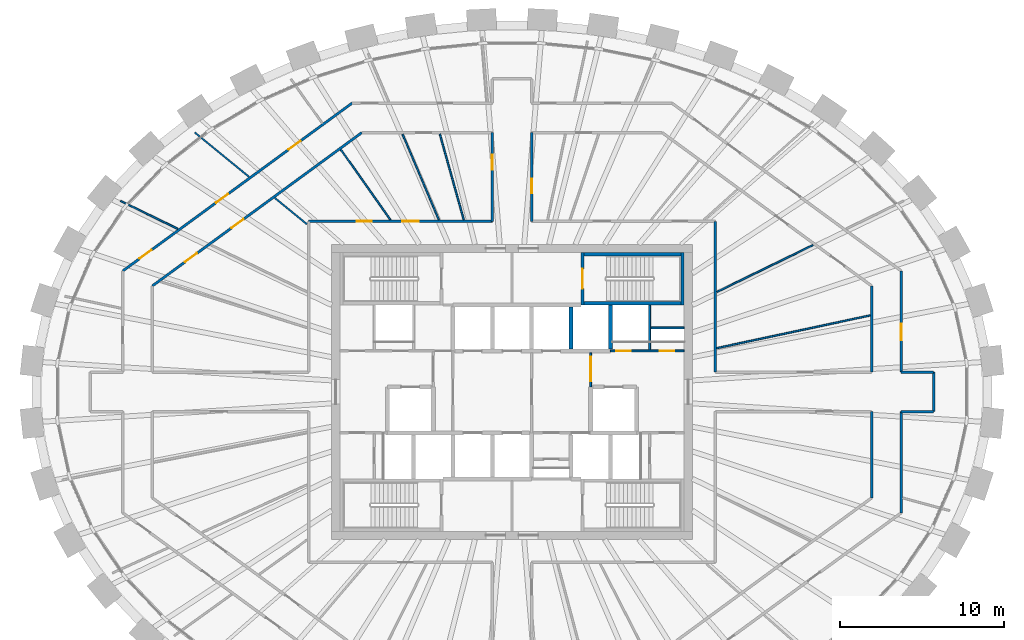
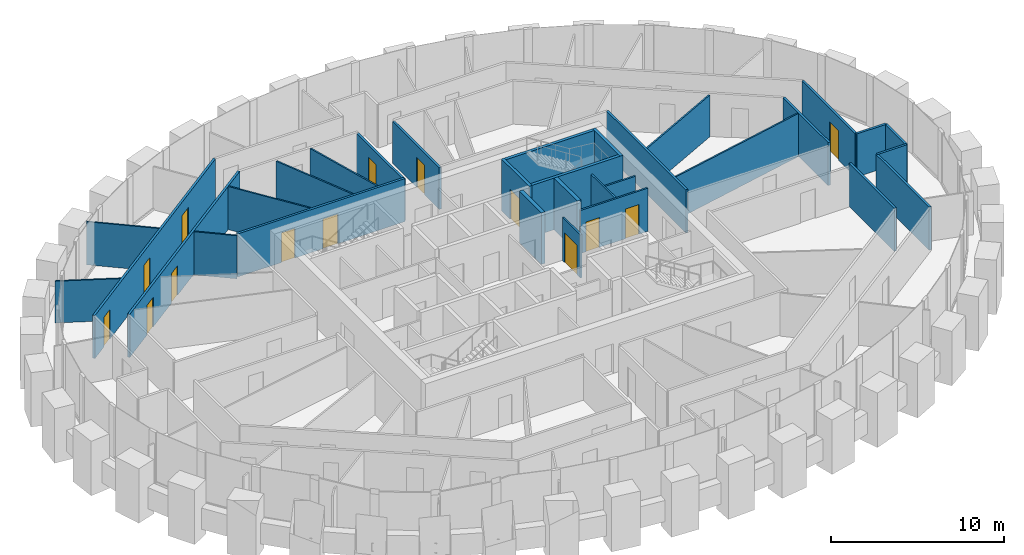
# One storey, part 9 of 11: 31 walls, 14 doors, 14 openings.
"""IFC4 building model written with IfcOpenShell, lengths in metres."""

from ifc_helpers import new_model, si_unit, direction, frame, frame_2d, origin, place, context, subcontext, project, spatial, rectangle, extrude, source, transform, mapped, material, layer, layer_set, type_object, element, fill, save


model = new_model("IFC4")

# Units and contexts
model_context = context("Model", 3, precision=1e-05, world=origin(), true_north=direction((0.0, 1.0)))
body_context = subcontext(model_context, "Body", "Model", "MODEL_VIEW")
ifc_project = project(units=[si_unit("LENGTHUNIT", "METRE"), si_unit("AREAUNIT", "SQUARE_METRE"), si_unit("VOLUMEUNIT", "CUBIC_METRE"), si_unit("PLANEANGLEUNIT", "RADIAN"), si_unit("MASSUNIT", "GRAM", prefix="KILO")], contexts=[model_context])

# Site, building, storey
site_placement = place(None, origin())
site = spatial("IfcSite", under=ifc_project, at=site_placement, CompositionType="ELEMENT")
building_placement = place(site_placement, origin())
building = spatial("IfcBuilding", under=site, at=building_placement, Name="Embergate Tower", CompositionType="ELEMENT")
storey_placement = place(building_placement, frame((0.0, 0.0, 328.60009765625)))
storey = spatial("IfcBuildingStorey", under=building, at=storey_placement, Name="L77", CompositionType="ELEMENT", Elevation=328.60009765625)

# Wall, openings, doors
ifc_material_1 = material(Name="Corridor wall dry-lined 150")
ifc_layer_1 = layer(ifc_material_1, 0.14990234375)
ifc_layer_set_1 = layer_set([ifc_layer_1], Name="Corridor wall dry-lined 150")
wall_type_1 = type_object("IfcWallType", Name="Corridor wall dry-lined 150", PredefinedType="PARTITIONING", material=ifc_layer_set_1)
shared_shape_1 = source(origin(), body_context, "Body", "SweptSolid", [
    extrude(rectangle(XDim=17.3251953125, YDim=0.14990234375, at=frame_2d((8.66259765625, 0.0))), origin(), (0.0, 0.0, 1.0), 3.0498046875),
])
wall_1_placement = place(storey_placement, frame((-9.751953125, 17.611083984375, 0.0), z_axis=(0.0, 0.0, 1.0), x_axis=(-0.806969554432, -0.590593039427, 0.0)))
wall_1 = element("IfcWall", 1, at=wall_1_placement, inside=storey, type_object=wall_type_1, Name="IP-2 wall", PredefinedType="PARTITIONING", context=body_context, shape_type="MappedRepresentation", body=[
    mapped(shared_shape_1, transform((0.0, 0.0, 0.0))),
])
shared_shape_2 = source(origin(), body_context, "Body", "SweptSolid", [
    extrude(rectangle(XDim=0.89990234375, YDim=2.10009765625, at=frame_2d((0.449951171875, 1.050048828125))), frame((0.0, 0.0849609375, 0.0), z_axis=(0.0, -1.0, 0.0), x_axis=(1.0, 0.0, 0.0)), (0.0, 0.0, 1.0), 0.169921875),
])
opening_1_placement = place(wall_1_placement, frame((3.8984375, 0.0, 0.0)))
opening_1 = element("IfcOpeningElement", 2, at=opening_1_placement, cuts=wall_1, Name="Opening IF-1c", PredefinedType="OPENING", context=body_context, shape_type="MappedRepresentation", body=[
    mapped(shared_shape_2, transform((0.0, 0.0, 0.0))),
])
opening_2_placement = place(wall_1_placement, frame((9.39306640625, 0.0, 0.0)))
opening_2 = element("IfcOpeningElement", 3, at=opening_2_placement, cuts=wall_1, Name="Opening IF-1c", PredefinedType="OPENING", context=body_context, shape_type="MappedRepresentation", body=[
    mapped(shared_shape_2, transform((0.0, 0.0, 0.0))),
])
opening_3_placement = place(wall_1_placement, frame((15.1572265625, 0.0, 0.0)))
opening_3 = element("IfcOpeningElement", 4, at=opening_3_placement, cuts=wall_1, Name="Opening IF-1c", PredefinedType="OPENING", context=body_context, shape_type="MappedRepresentation", body=[
    mapped(shared_shape_2, transform((0.0, 0.0, 0.0))),
])
ifc_material_2 = material(Name="Escape fire door 900")
door_type_1 = type_object("IfcDoorType", Name="Escape fire door 900", OperationType="SINGLE_SWING_LEFT", PredefinedType="DOOR", material=ifc_material_2)
shared_shape_3 = source(origin(), body_context, "Body", "SweptSolid", [
    extrude(rectangle(XDim=0.89990234375, YDim=2.10009765625, at=frame_2d((0.449951171875, 1.050048828125))), frame((0.0, 0.02490234375, 0.0), z_axis=(0.0, -1.0, 0.0), x_axis=(1.0, 0.0, 0.0)), (0.0, 0.0, 1.0), 0.050048828125),
])
door_1_placement = place(opening_1_placement, origin())
door_1 = element("IfcDoor", 5, at=door_1_placement, inside=storey, type_object=door_type_1, Name="IF-1 door", OperationType="SINGLE_SWING_LEFT", OverallHeight=2.10009765625, OverallWidth=0.89990234375, PredefinedType="DOOR", context=body_context, shape_type="MappedRepresentation", body=[
    mapped(shared_shape_3, transform((0.0, 0.0, 0.0))),
])
fill(opening_1, door_1)
door_2_placement = place(opening_2_placement, origin())
door_2 = element("IfcDoor", 6, at=door_2_placement, inside=storey, type_object=door_type_1, Name="IF-1 door", OperationType="SINGLE_SWING_LEFT", OverallHeight=2.10009765625, OverallWidth=0.89990234375, PredefinedType="DOOR", context=body_context, shape_type="MappedRepresentation", body=[
    mapped(shared_shape_3, transform((0.0, 0.0, 0.0))),
])
fill(opening_2, door_2)
door_3_placement = place(opening_3_placement, origin())
door_3 = element("IfcDoor", 7, at=door_3_placement, inside=storey, type_object=door_type_1, Name="IF-1 door", OperationType="SINGLE_SWING_RIGHT", OverallHeight=2.10009765625, OverallWidth=0.89990234375, PredefinedType="DOOR", context=body_context, shape_type="MappedRepresentation", body=[
    mapped(shared_shape_3, transform((0.0, 0.0, 0.0))),
])
fill(opening_3, door_3)

# Wall
shared_shape_4 = source(origin(), body_context, "Body", "SweptSolid", [
    extrude(rectangle(XDim=6.178955078125, YDim=0.14990234375, at=frame_2d((3.08935546875, 0.0))), origin(), (0.0, 0.0, 1.0), 3.0498046875),
])
wall_2_placement = place(storey_placement, frame((23.73291015625, -7.37890625, 0.0), z_axis=(0.0, 0.0, 1.0), x_axis=(0.0, 1.0, 0.0)))
element("IfcWall", 8, at=wall_2_placement, inside=storey, type_object=wall_type_1, Name="IP-2 wall", PredefinedType="PARTITIONING", context=body_context, shape_type="MappedRepresentation", body=[
    mapped(shared_shape_4, transform((0.0, 0.0, 0.0))),
])

# Wall, opening, door
wall_3_placement = place(storey_placement, frame((23.73291015625, 7.37890625, 0.0), z_axis=(0.0, 0.0, 1.0), x_axis=(0.0, -1.0, 0.0)))
wall_3 = element("IfcWall", 9, at=wall_3_placement, inside=storey, type_object=wall_type_1, Name="IP-2 wall", PredefinedType="PARTITIONING", context=body_context, shape_type="MappedRepresentation", body=[
    mapped(shared_shape_4, transform((0.0, 0.0, 0.0))),
])
shared_shape_5 = source(origin(), body_context, "Body", "SweptSolid", [
    extrude(rectangle(XDim=1.0, YDim=2.10009765625, at=frame_2d((0.5, 1.050048828125))), frame((0.0, 0.0849609375, 0.0), z_axis=(0.0, -1.0, 0.0), x_axis=(1.0, 0.0, 0.0)), (0.0, 0.0, 1.0), 0.169921875),
])
opening_4_placement = place(wall_3_placement, frame((3.230712890625, 0.0, 0.0)))
opening_4 = element("IfcOpeningElement", 10, at=opening_4_placement, cuts=wall_3, Name="Opening ID-2", PredefinedType="OPENING", context=body_context, shape_type="MappedRepresentation", body=[
    mapped(shared_shape_5, transform((0.0, 0.0, 0.0))),
])
ifc_material_3 = material(Name="Interior door 1000")
door_type_2 = type_object("IfcDoorType", Name="Interior door 1000", OperationType="SINGLE_SWING_LEFT", PredefinedType="DOOR", material=ifc_material_3)
shared_shape_6 = source(origin(), body_context, "Body", "SweptSolid", [
    extrude(rectangle(XDim=1.0, YDim=2.10009765625, at=frame_2d((0.5, 1.050048828125))), frame((0.0, 0.02490234375, 0.0), z_axis=(0.0, -1.0, 0.0), x_axis=(1.0, 0.0, 0.0)), (0.0, 0.0, 1.0), 0.050048828125),
])
door_4_placement = place(opening_4_placement, origin())
door_4 = element("IfcDoor", 11, at=door_4_placement, inside=storey, type_object=door_type_2, Name="ID-2 door", OperationType="SINGLE_SWING_LEFT", OverallHeight=2.10009765625, OverallWidth=1.0, PredefinedType="DOOR", context=body_context, shape_type="MappedRepresentation", body=[
    mapped(shared_shape_6, transform((0.0, 0.0, 0.0))),
])
fill(opening_4, door_4)

# Walls
shared_shape_7 = source(origin(), body_context, "Body", "SweptSolid", [
    extrude(rectangle(XDim=5.26513671875, YDim=0.14990234375, at=frame_2d((2.632568359375, 0.0))), origin(), (0.0, 0.0, 1.0), 3.0498046875),
])
for number, where, z_axis, x_axis, name in (
    (12, (21.93310546875, -6.465087890625, 0.0), (0.0, 0.0, 1.0), (0.0, 1.0, 0.0), "IP-2 wall"),
    (13, (21.93310546875, 1.199951171875, 0.0), (0.0, 0.0, 1.0), (0.0, 1.0, 0.0), "IP-2 wall"),
):
    element("IfcWall", number, at=place(storey_placement, frame(where, z_axis=z_axis, x_axis=x_axis)), inside=storey, type_object=wall_type_1, Name=name, PredefinedType="PARTITIONING", context=body_context, shape_type="MappedRepresentation", body=[
        mapped(shared_shape_7, transform((0.0, 0.0, 0.0))),
    ])

# Wall, openings, doors
shared_shape_8 = source(origin(), body_context, "Body", "SweptSolid", [
    extrude(rectangle(XDim=15.82470703125, YDim=0.14990234375, at=frame_2d((7.912353515625, 0.0))), origin(), (0.0, 0.0, 1.0), 3.0498046875),
])
wall_4_placement = place(storey_placement, frame((-21.93310546875, 6.465087890625, 0.0), z_axis=(0.0, 0.0, 1.0), x_axis=(0.80696917181, 0.590593562231, 0.0)))
wall_4 = element("IfcWall", 14, at=wall_4_placement, inside=storey, type_object=wall_type_1, Name="IP-2 wall", PredefinedType="PARTITIONING", context=body_context, shape_type="MappedRepresentation", body=[
    mapped(shared_shape_8, transform((0.0, 0.0, 0.0))),
])
opening_5_placement = place(wall_4_placement, frame((5.983642578125, 0.0, 0.0)))
opening_5 = element("IfcOpeningElement", 15, at=opening_5_placement, cuts=wall_4, Name="Opening IF-1c", PredefinedType="OPENING", context=body_context, shape_type="MappedRepresentation", body=[
    mapped(shared_shape_2, transform((0.0, 0.0, 0.0))),
])
opening_6_placement = place(wall_4_placement, frame((2.4794921875, 0.0, 0.0)))
opening_6 = element("IfcOpeningElement", 16, at=opening_6_placement, cuts=wall_4, Name="Opening IF-1c", PredefinedType="OPENING", context=body_context, shape_type="MappedRepresentation", body=[
    mapped(shared_shape_2, transform((0.0, 0.0, 0.0))),
])
door_5_placement = place(opening_5_placement, origin())
door_5 = element("IfcDoor", 17, at=door_5_placement, inside=storey, type_object=door_type_1, Name="IF-1 door", OperationType="SINGLE_SWING_RIGHT", OverallHeight=2.10009765625, OverallWidth=0.89990234375, PredefinedType="DOOR", context=body_context, shape_type="MappedRepresentation", body=[
    mapped(shared_shape_3, transform((0.0, 0.0, 0.0))),
])
fill(opening_5, door_5)
door_6_placement = place(opening_6_placement, origin())
door_6 = element("IfcDoor", 18, at=door_6_placement, inside=storey, type_object=door_type_1, Name="IF-1 door", OperationType="SINGLE_SWING_LEFT", OverallHeight=2.10009765625, OverallWidth=0.89990234375, PredefinedType="DOOR", context=body_context, shape_type="MappedRepresentation", body=[
    mapped(shared_shape_3, transform((0.0, 0.0, 0.0))),
])
fill(opening_6, door_6)

# Wall
shared_shape_9 = source(origin(), body_context, "Body", "SweptSolid", [
    extrude(rectangle(XDim=9.199951171875, YDim=0.14990234375, at=frame_2d((4.60009765625, 0.0))), origin(), (0.0, 0.0, 1.0), 3.0498046875),
])
wall_5_placement = place(storey_placement, frame((12.39990234375, 10.39990234375, 0.0), z_axis=(0.0, 0.0, 1.0), x_axis=(0.0, -1.0, 0.0)))
element("IfcWall", 19, at=wall_5_placement, inside=storey, type_object=wall_type_1, Name="IP-2 wall", PredefinedType="PARTITIONING", context=body_context, shape_type="MappedRepresentation", body=[
    mapped(shared_shape_9, transform((0.0, 0.0, 0.0))),
])

# Wall, openings, doors
ifc_material_4 = material(Name="Corridor wall dry-lined 150 wet")
ifc_layer_2 = layer(ifc_material_4, 0.14990234375)
ifc_layer_set_2 = layer_set([ifc_layer_2], Name="Corridor wall dry-lined 150 wet")
wall_type_2 = type_object("IfcWallType", Name="Corridor wall dry-lined 150 wet", PredefinedType="PLUMBINGWALL", material=ifc_layer_set_2)
shared_shape_10 = source(origin(), body_context, "Body", "SweptSolid", [
    extrude(rectangle(XDim=11.199951171875, YDim=0.14990234375, at=frame_2d((5.60009765625, 0.0))), origin(), (0.0, 0.0, 1.0), 3.0498046875),
])
wall_6_placement = place(storey_placement, frame((-12.39990234375, 10.39990234375, 0.0), z_axis=(0.0, 0.0, 1.0), x_axis=(1.0, 0.0, 0.0)))
wall_6 = element("IfcWall", 20, at=wall_6_placement, inside=storey, type_object=wall_type_2, Name="IP-2 wall", PredefinedType="PLUMBINGWALL", context=body_context, shape_type="MappedRepresentation", body=[
    mapped(shared_shape_10, transform((0.0, 0.0, 0.0))),
])
opening_7_placement = place(wall_6_placement, frame((5.7099609375, 0.0, 0.0)))
opening_7 = element("IfcOpeningElement", 21, at=opening_7_placement, cuts=wall_6, Name="Opening ID-2", PredefinedType="OPENING", context=body_context, shape_type="MappedRepresentation", body=[
    mapped(shared_shape_5, transform((0.0, 0.0, 0.0))),
])
opening_8_placement = place(wall_6_placement, frame((2.931884765625, 0.0, 0.0)))
opening_8 = element("IfcOpeningElement", 22, at=opening_8_placement, cuts=wall_6, Name="Opening IF-1c", PredefinedType="OPENING", context=body_context, shape_type="MappedRepresentation", body=[
    mapped(shared_shape_2, transform((0.0, 0.0, 0.0))),
])
door_7_placement = place(opening_8_placement, origin())
door_7 = element("IfcDoor", 23, at=door_7_placement, inside=storey, type_object=door_type_1, Name="IF-1 door", OperationType="SINGLE_SWING_LEFT", OverallHeight=2.10009765625, OverallWidth=0.89990234375, PredefinedType="DOOR", context=body_context, shape_type="MappedRepresentation", body=[
    mapped(shared_shape_3, transform((0.0, 0.0, 0.0))),
])
fill(opening_8, door_7)
door_8_placement = place(opening_7_placement, origin())
door_8 = element("IfcDoor", 24, at=door_8_placement, inside=storey, type_object=door_type_2, Name="ID-2 door", OperationType="SINGLE_SWING_LEFT", OverallHeight=2.10009765625, OverallWidth=1.0, PredefinedType="DOOR", context=body_context, shape_type="MappedRepresentation", body=[
    mapped(shared_shape_6, transform((0.0, 0.0, 0.0))),
])
fill(opening_7, door_8)

# Wall
shared_shape_11 = source(origin(), body_context, "Body", "SweptSolid", [
    extrude(rectangle(XDim=2.39990234375, YDim=0.14990234375, at=frame_2d((1.199951171875, 0.0))), origin(), (0.0, 0.0, 1.0), 3.0498046875),
])
wall_7_placement = place(storey_placement, frame((25.714111328125, 1.199951171875, 0.0), z_axis=(0.0, 0.0, 1.0), x_axis=(0.0, -1.0, 0.0)))
element("IfcWall", 25, at=wall_7_placement, inside=storey, type_object=wall_type_1, Name="IP-2 wall", PredefinedType="PARTITIONING", context=body_context, shape_type="MappedRepresentation", body=[
    mapped(shared_shape_11, transform((0.0, 0.0, 0.0))),
])

# Wall, opening, door
shared_shape_12 = source(origin(), body_context, "Body", "SweptSolid", [
    extrude(rectangle(XDim=5.4111328125, YDim=0.14990234375, at=frame_2d((2.70556640625, 0.0))), origin(), (0.0, 0.0, 1.0), 2.949951171875),
])
wall_8_placement = place(storey_placement, frame((1.199951171875, 15.81103515625, 0.0), z_axis=(0.0, 0.0, 1.0), x_axis=(0.0, -1.0, 0.0)))
wall_8 = element("IfcWall", 26, at=wall_8_placement, inside=storey, type_object=wall_type_2, Name="IP-2 wall", PredefinedType="PLUMBINGWALL", context=body_context, shape_type="MappedRepresentation", body=[
    mapped(shared_shape_12, transform((0.0, 0.0, 0.0))),
])
opening_9_placement = place(wall_8_placement, frame((2.802978515625, 0.0, 0.0)))
opening_9 = element("IfcOpeningElement", 27, at=opening_9_placement, cuts=wall_8, Name="Opening IF-1c", PredefinedType="OPENING", context=body_context, shape_type="MappedRepresentation", body=[
    mapped(shared_shape_2, transform((0.0, 0.0, 0.0))),
])
door_9_placement = place(opening_9_placement, origin())
door_9 = element("IfcDoor", 28, at=door_9_placement, inside=storey, type_object=door_type_1, Name="IF-1 door", OperationType="SINGLE_SWING_RIGHT", OverallHeight=2.10009765625, OverallWidth=0.89990234375, PredefinedType="DOOR", context=body_context, shape_type="MappedRepresentation", body=[
    mapped(shared_shape_3, transform((0.0, 0.0, 0.0))),
])
fill(opening_9, door_9)

wall_9_placement = place(storey_placement, frame((-1.199951171875, 10.39990234375, 0.0), z_axis=(0.0, 0.0, 1.0), x_axis=(0.0, 1.0, 0.0)))
wall_9 = element("IfcWall", 29, at=wall_9_placement, inside=storey, type_object=wall_type_2, Name="IP-2 wall", PredefinedType="PLUMBINGWALL", context=body_context, shape_type="MappedRepresentation", body=[
    mapped(shared_shape_12, transform((0.0, 0.0, 0.0))),
])
opening_10_placement = place(wall_9_placement, frame((3.155029296875, 0.0, 0.0)))
opening_10 = element("IfcOpeningElement", 30, at=opening_10_placement, cuts=wall_9, Name="Opening IF-1c", PredefinedType="OPENING", context=body_context, shape_type="MappedRepresentation", body=[
    mapped(shared_shape_2, transform((0.0, 0.0, 0.0))),
])
door_10_placement = place(opening_10_placement, origin())
door_10 = element("IfcDoor", 31, at=door_10_placement, inside=storey, type_object=door_type_1, Name="IF-1 door", OperationType="SINGLE_SWING_RIGHT", OverallHeight=2.10009765625, OverallWidth=0.89990234375, PredefinedType="DOOR", context=body_context, shape_type="MappedRepresentation", body=[
    mapped(shared_shape_3, transform((0.0, 0.0, 0.0))),
])
fill(opening_10, door_10)

# Walls
shared_shape_13 = source(origin(), body_context, "Body", "SweptSolid", [
    extrude(rectangle(XDim=1.981201171875, YDim=0.14990234375, at=frame_2d((0.99072265625, 0.0))), origin(), (0.0, 0.0, 1.0), 3.0498046875),
])
for number, where, z_axis, x_axis, name in (
    (32, (23.73291015625, 1.199951171875, 0.0), (0.0, 0.0, 1.0), (1.0, 0.0, 0.0), "IP-2 wall"),
    (33, (25.714111328125, -1.199951171875, 0.0), (0.0, 0.0, 1.0), (-1.0, 0.0, 0.0), "IP-2 wall"),
):
    element("IfcWall", number, at=place(storey_placement, frame(where, z_axis=z_axis, x_axis=x_axis)), inside=storey, type_object=wall_type_1, Name=name, PredefinedType="PARTITIONING", context=body_context, shape_type="MappedRepresentation", body=[
        mapped(shared_shape_13, transform((0.0, 0.0, 0.0))),
    ])
ifc_material_5 = material(Name="Partition dry-lined 100")
ifc_layer_3 = layer(ifc_material_5, 0.10009765625)
ifc_layer_set_3 = layer_set([ifc_layer_3], Name="Partition dry-lined 100")
wall_type_3 = type_object("IfcWallType", Name="Partition dry-lined 100", PredefinedType="PARTITIONING", material=ifc_layer_set_3)
shared_shape_14 = source(origin(), body_context, "Body", "SweptSolid", [
    extrude(rectangle(XDim=3.877685546875, YDim=0.10009765625, at=frame_2d((1.93896484375, 0.0))), origin(), (0.0, 0.0, 1.0), 2.949951171875),
])
wall_10_placement = place(storey_placement, frame((-20.389892578125, 9.947021484375, 0.0), z_axis=(0.0, 0.0, 1.0), x_axis=(-0.898778732273, 0.438402543805, 0.0)))
element("IfcWall", 34, at=wall_10_placement, inside=storey, type_object=wall_type_3, Name="IP-1 wall", PredefinedType="PARTITIONING", context=body_context, shape_type="MappedRepresentation", body=[
    mapped(shared_shape_14, transform((0.0, 0.0, 0.0))),
])
shared_shape_15 = source(origin(), body_context, "Body", "SweptSolid", [
    extrude(rectangle(XDim=9.572998046875, YDim=0.10009765625, at=frame_2d((4.78662109375, 0.0))), origin(), (0.0, 0.0, 1.0), 3.0498046875),
])
wall_11_placement = place(storey_placement, frame((12.485107421875, 2.6669921875, 0.0), z_axis=(0.0, 0.0, 1.0), x_axis=(0.977932848494, 0.208919467346, 0.0)))
element("IfcWall", 35, at=wall_11_placement, inside=storey, type_object=wall_type_3, Name="IP-1 wall", PredefinedType="PARTITIONING", context=body_context, shape_type="MappedRepresentation", body=[
    mapped(shared_shape_15, transform((0.0, 0.0, 0.0))),
])
shared_shape_16 = source(origin(), body_context, "Body", "SweptSolid", [
    extrude(rectangle(XDim=6.525634765625, YDim=0.10009765625, at=frame_2d((3.2626953125, 0.0))), origin(), (0.0, 0.0, 1.0), 2.949951171875),
])
wall_12_placement = place(storey_placement, frame((12.4970703125, 6.095947265625, 0.0), z_axis=(0.0, 0.0, 1.0), x_axis=(0.898761613835, 0.438437636953, 0.0)))
element("IfcWall", 36, at=wall_12_placement, inside=storey, type_object=wall_type_3, Name="IP-1 wall", PredefinedType="PARTITIONING", context=body_context, shape_type="MappedRepresentation", body=[
    mapped(shared_shape_16, transform((0.0, 0.0, 0.0))),
])
ifc_material_6 = material(Name="Partition dry-lined 100 wet")
ifc_layer_4 = layer(ifc_material_6, 0.10009765625)
ifc_layer_set_4 = layer_set([ifc_layer_4], Name="Partition dry-lined 100 wet")
wall_type_4 = type_object("IfcWallType", Name="Partition dry-lined 100 wet", PredefinedType="PLUMBINGWALL", material=ifc_layer_set_4)
shared_shape_17 = source(origin(), body_context, "Body", "SweptSolid", [
    extrude(rectangle(XDim=5.43505859375, YDim=0.10009765625, at=frame_2d((2.717529296875, 0.0))), origin(), (0.0, 0.0, 1.0), 3.0498046875),
])
wall_13_placement = place(storey_placement, frame((-2.93701171875, 10.489013671875, 0.0), z_axis=(0.0, 0.0, 1.0), x_axis=(-0.269561612623, 0.962983144712, 0.0)))
element("IfcWall", 37, at=wall_13_placement, inside=storey, type_object=wall_type_4, Name="IP-1 wall", PredefinedType="PLUMBINGWALL", context=body_context, shape_type="MappedRepresentation", body=[
    mapped(shared_shape_17, transform((0.0, 0.0, 0.0))),
])
shared_shape_18 = source(origin(), body_context, "Body", "SweptSolid", [
    extrude(rectangle(XDim=5.673828125, YDim=0.10009765625, at=frame_2d((2.8369140625, 0.0))), origin(), (0.0, 0.0, 1.0), 2.949951171875),
])
wall_14_placement = place(storey_placement, frame((-6.676025390625, 15.717041015625, 0.0), z_axis=(0.0, 0.0, 1.0), x_axis=(0.391092348704, -0.92035144091, 0.0)))
element("IfcWall", 38, at=wall_14_placement, inside=storey, type_object=wall_type_4, Name="IP-1 wall", PredefinedType="PLUMBINGWALL", context=body_context, shape_type="MappedRepresentation", body=[
    mapped(shared_shape_18, transform((0.0, 0.0, 0.0))),
])
shared_shape_19 = source(origin(), body_context, "Body", "SweptSolid", [
    extrude(rectangle(XDim=4.273193359375, YDim=0.10009765625, at=frame_2d((2.13671875, 0.0))), origin(), (0.0, 0.0, 1.0), 3.0498046875),
])
wall_15_placement = place(storey_placement, frame((-16.0400390625, 13.117919921875, 0.0), z_axis=(0.0, 0.0, 1.0), x_axis=(-0.774112556764, 0.633047983537, 0.0)))
element("IfcWall", 39, at=wall_15_placement, inside=storey, type_object=wall_type_3, Name="IP-1 wall", PredefinedType="PARTITIONING", context=body_context, shape_type="MappedRepresentation", body=[
    mapped(shared_shape_19, transform((0.0, 0.0, 0.0))),
])
shared_shape_20 = source(origin(), body_context, "Body", "SweptSolid", [
    extrude(rectangle(XDim=5.23779296875, YDim=0.10009765625, at=frame_2d((2.618896484375, 0.0))), origin(), (0.0, 0.0, 1.0), 3.0498046875),
])
wall_16_placement = place(storey_placement, frame((-7.419921875, 10.50390625, 0.0), z_axis=(0.0, 0.0, 1.0), x_axis=(-0.576957667199, 0.816774050923, 0.0)))
element("IfcWall", 40, at=wall_16_placement, inside=storey, type_object=wall_type_3, Name="IP-1 wall", PredefinedType="PARTITIONING", context=body_context, shape_type="MappedRepresentation", body=[
    mapped(shared_shape_20, transform((0.0, 0.0, 0.0))),
])
shared_shape_21 = source(origin(), body_context, "Body", "SweptSolid", [
    extrude(rectangle(XDim=2.523193359375, YDim=0.10009765625, at=frame_2d((1.26171875, 0.0))), origin(), (0.0, 0.0, 1.0), 3.0498046875),
])
wall_17_placement = place(storey_placement, frame((-12.507080078125, 10.22802734375, 0.0), z_axis=(0.0, 0.0, 1.0), x_axis=(-0.773940055522, 0.633258865282, 0.0)))
element("IfcWall", 41, at=wall_17_placement, inside=storey, type_object=wall_type_3, Name="IP-1 wall", PredefinedType="PARTITIONING", context=body_context, shape_type="MappedRepresentation", body=[
    mapped(shared_shape_21, transform((0.0, 0.0, 0.0))),
])
ifc_material_7 = material(Name="Concrete C50", Category="concrete")
ifc_layer_5 = layer(ifc_material_7, 0.199951171875)
ifc_layer_set_5 = layer_set([ifc_layer_5], Name="Concrete C50")
wall_type_5 = type_object("IfcWallType", Name="Stair enclosure wall reinforced concrete 250", PredefinedType="SHEAR", material=ifc_layer_set_5)
shared_shape_22 = source(origin(), body_context, "Body", "SweptSolid", [
    extrude(rectangle(XDim=6.300048828125, YDim=0.199951171875, at=frame_2d((3.14990234375, 0.0))), origin(), (0.0, 0.0, 1.0), 3.64990234375),
])
wall_18_placement = place(storey_placement, frame((10.5, 5.39990234375, 0.0), z_axis=(0.0, 0.0, 1.0), x_axis=(-1.0, 0.0, 0.0)))
element("IfcWall", 42, at=wall_18_placement, inside=storey, type_object=wall_type_5, Name="SE-1 wall", PredefinedType="SHEAR", context=body_context, shape_type="MappedRepresentation", body=[
    mapped(shared_shape_22, transform((0.0, 0.0, 0.0))),
])
ifc_layer_6 = layer(ifc_material_7, 0.25)
ifc_layer_set_6 = layer_set([ifc_layer_6], Name="Concrete C50")
wall_type_6 = type_object("IfcWallType", Name="Hoistway wall reinforced concrete 250", PredefinedType="SHEAR", material=ifc_layer_set_6)
shared_shape_23 = source(origin(), body_context, "Body", "SweptSolid", [
    extrude(rectangle(XDim=2.550048828125, YDim=0.25, at=frame_2d((1.27490234375, 0.0))), origin(), (0.0, 0.0, 1.0), 3.64990234375),
])
wall_19_placement = place(storey_placement, frame((3.60009765625, 2.625, 0.0), z_axis=(0.0, 0.0, 1.0), x_axis=(0.0, 1.0, 0.0)))
element("IfcWall", 43, at=wall_19_placement, inside=storey, type_object=wall_type_6, Name="HW-1 wall", PredefinedType="SHEAR", context=body_context, shape_type="MappedRepresentation", body=[
    mapped(shared_shape_23, transform((0.0, 0.0, 0.0))),
])
shared_shape_24 = source(origin(), body_context, "Body", "SweptSolid", [
    extrude(rectangle(XDim=2.675048828125, YDim=0.25, at=frame_2d((1.33740234375, 0.0))), origin(), (0.0, 0.0, 1.0), 3.64990234375),
])
wall_20_placement = place(storey_placement, frame((6.0, 2.625, 0.0), z_axis=(0.0, 0.0, 1.0), x_axis=(0.0, 1.0, 0.0)))
element("IfcWall", 44, at=wall_20_placement, inside=storey, type_object=wall_type_6, Name="HW-1 wall", PredefinedType="SHEAR", context=body_context, shape_type="MappedRepresentation", body=[
    mapped(shared_shape_24, transform((0.0, 0.0, 0.0))),
])

# Wall, openings, doors
ifc_material_8 = material(Name="Core partition blockwork 120")
ifc_layer_7 = layer(ifc_material_8, 0.1201171875)
ifc_layer_set_7 = layer_set([ifc_layer_7], Name="Core partition blockwork 120")
wall_type_7 = type_object("IfcWallType", Name="Core partition blockwork 120", PredefinedType="PARTITIONING", material=ifc_layer_set_7)
shared_shape_25 = source(origin(), body_context, "Body", "SweptSolid", [
    extrude(rectangle(XDim=4.5, YDim=0.1201171875, at=frame_2d((2.25, 0.0))), origin(), (0.0, 0.0, 1.0), 3.0498046875),
])
wall_21_placement = place(storey_placement, frame((6.0, 2.5, 0.0), z_axis=(0.0, 0.0, 1.0), x_axis=(1.0, 0.0, 0.0)))
wall_21 = element("IfcWall", 45, at=wall_21_placement, inside=storey, type_object=wall_type_7, Name="IP-3 wall", PredefinedType="PARTITIONING", context=body_context, shape_type="MappedRepresentation", body=[
    mapped(shared_shape_25, transform((0.0, 0.0, 0.0))),
])
shared_shape_26 = source(origin(), body_context, "Body", "SweptSolid", [
    extrude(rectangle(XDim=0.89990234375, YDim=2.10009765625, at=frame_2d((0.449951171875, 1.050048828125))), frame((0.0, 0.070068359375, 0.0), z_axis=(0.0, -1.0, 0.0), x_axis=(1.0, 0.0, 0.0)), (0.0, 0.0, 1.0), 0.14013671875),
])
opening_11_placement = place(wall_21_placement, frame((0.35009765625, 0.0, 0.0)))
opening_11 = element("IfcOpeningElement", 46, at=opening_11_placement, cuts=wall_21, Name="Opening ID-1", PredefinedType="OPENING", context=body_context, shape_type="MappedRepresentation", body=[
    mapped(shared_shape_26, transform((0.0, 0.0, 0.0))),
])
opening_12_placement = place(wall_21_placement, frame((3.0, 0.0, 0.0)))
opening_12 = element("IfcOpeningElement", 47, at=opening_12_placement, cuts=wall_21, Name="Opening ID-1", PredefinedType="OPENING", context=body_context, shape_type="MappedRepresentation", body=[
    mapped(shared_shape_26, transform((0.0, 0.0, 0.0))),
])
ifc_material_9 = material(Name="Interior door 900")
door_type_3 = type_object("IfcDoorType", Name="Interior door 900", OperationType="SINGLE_SWING_LEFT", PredefinedType="DOOR", material=ifc_material_9)
door_11_placement = place(opening_11_placement, origin())
door_11 = element("IfcDoor", 48, at=door_11_placement, inside=storey, type_object=door_type_3, Name="ID-1 door", OperationType="SINGLE_SWING_RIGHT", OverallHeight=2.10009765625, OverallWidth=0.89990234375, PredefinedType="DOOR", context=body_context, shape_type="MappedRepresentation", body=[
    mapped(shared_shape_3, transform((0.0, 0.0, 0.0))),
])
fill(opening_11, door_11)
door_12_placement = place(opening_12_placement, origin())
door_12 = element("IfcDoor", 49, at=door_12_placement, inside=storey, type_object=door_type_3, Name="ID-1 door", OperationType="SINGLE_SWING_RIGHT", OverallHeight=2.10009765625, OverallWidth=0.89990234375, PredefinedType="DOOR", context=body_context, shape_type="MappedRepresentation", body=[
    mapped(shared_shape_3, transform((0.0, 0.0, 0.0))),
])
fill(opening_12, door_12)

# Wall
shared_shape_27 = source(origin(), body_context, "Body", "SweptSolid", [
    extrude(rectangle(XDim=2.738037109375, YDim=0.1201171875, at=frame_2d((1.369140625, 0.0))), origin(), (0.0, 0.0, 1.0), 3.0498046875),
])
wall_22_placement = place(storey_placement, frame((8.39990234375, 2.56005859375, 0.0), z_axis=(0.0, 0.0, 1.0), x_axis=(0.0, 1.0, 0.0)))
element("IfcWall", 50, at=wall_22_placement, inside=storey, type_object=wall_type_7, Name="IP-3 wall", PredefinedType="PARTITIONING", context=body_context, shape_type="MappedRepresentation", body=[
    mapped(shared_shape_27, transform((0.0, 0.0, 0.0))),
])

# Wall, opening, door
shared_shape_28 = source(origin(), body_context, "Body", "SweptSolid", [
    extrude(rectangle(XDim=2.074951171875, YDim=0.1201171875, at=frame_2d((1.03759765625, 0.0))), origin(), (0.0, 0.0, 1.0), 3.0498046875),
])
wall_23_placement = place(storey_placement, frame((4.800048828125, 0.300048828125, 0.0), z_axis=(0.0, 0.0, 1.0), x_axis=(0.0, 1.0, 0.0)))
wall_23 = element("IfcWall", 51, at=wall_23_placement, inside=storey, type_object=wall_type_7, Name="IP-3 wall", PredefinedType="PARTITIONING", context=body_context, shape_type="MappedRepresentation", body=[
    mapped(shared_shape_28, transform((0.0, 0.0, 0.0))),
])
shared_shape_29 = source(origin(), body_context, "Body", "SweptSolid", [
    extrude(rectangle(XDim=1.5, YDim=2.10009765625, at=frame_2d((0.75, 1.050048828125))), frame((0.0, 0.070068359375, 0.0), z_axis=(0.0, -1.0, 0.0), x_axis=(1.0, 0.0, 0.0)), (0.0, 0.0, 1.0), 0.14013671875),
])
opening_13_placement = place(wall_23_placement, frame((0.35009765625, 0.0, 0.0)))
opening_13 = element("IfcOpeningElement", 52, at=opening_13_placement, cuts=wall_23, Name="Opening IF-3", PredefinedType="OPENING", context=body_context, shape_type="MappedRepresentation", body=[
    mapped(shared_shape_29, transform((0.0, 0.0, 0.0))),
])
ifc_material_10 = material(Name="Lobby fire door pair 1500")
door_type_4 = type_object("IfcDoorType", Name="Lobby fire door pair 1500", OperationType="DOUBLE_DOOR_SINGLE_SWING", PredefinedType="DOOR", material=ifc_material_10)
shared_shape_30 = source(origin(), body_context, "Body", "SweptSolid", [
    extrude(rectangle(XDim=1.5, YDim=2.10009765625, at=frame_2d((0.75, 1.050048828125))), frame((0.0, 0.02490234375, 0.0), z_axis=(0.0, -1.0, 0.0), x_axis=(1.0, 0.0, 0.0)), (0.0, 0.0, 1.0), 0.050048828125),
])
door_13_placement = place(opening_13_placement, origin())
door_13 = element("IfcDoor", 53, at=door_13_placement, inside=storey, type_object=door_type_4, Name="IF-3 door", OperationType="DOUBLE_DOOR_SINGLE_SWING", OverallHeight=2.10009765625, OverallWidth=1.5, PredefinedType="DOOR", context=body_context, shape_type="MappedRepresentation", body=[
    mapped(shared_shape_30, transform((0.0, 0.0, 0.0))),
])
fill(opening_13, door_13)

shared_shape_31 = source(origin(), body_context, "Body", "SweptSolid", [
    extrude(rectangle(XDim=3.199951171875, YDim=0.199951171875, at=frame_2d((1.60009765625, 0.0))), origin(), (0.0, 0.0, 1.0), 3.64990234375),
])
wall_24_placement = place(storey_placement, frame((4.300048828125, 8.5, 0.0), z_axis=(0.0, 0.0, 1.0), x_axis=(0.0, -1.0, 0.0)))
wall_24 = element("IfcWall", 54, at=wall_24_placement, inside=storey, type_object=wall_type_5, Name="SE-1 wall", PredefinedType="SHEAR", context=body_context, shape_type="MappedRepresentation", body=[
    mapped(shared_shape_31, transform((0.0, 0.0, 0.0))),
])
shared_shape_32 = source(origin(), body_context, "Body", "SweptSolid", [
    extrude(rectangle(XDim=1.199951171875, YDim=2.10009765625, at=frame_2d((0.60009765625, 1.050048828125))), frame((0.0, 0.10986328125, 0.0), z_axis=(0.0, -1.0, 0.0), x_axis=(1.0, 0.0, 0.0)), (0.0, 0.0, 1.0), 0.219970703125),
])
opening_14_placement = place(wall_24_placement, frame((1.0, 0.0, 0.0)))
opening_14 = element("IfcOpeningElement", 55, at=opening_14_placement, cuts=wall_24, Name="Opening IF-2", PredefinedType="OPENING", context=body_context, shape_type="MappedRepresentation", body=[
    mapped(shared_shape_32, transform((0.0, 0.0, 0.0))),
])
ifc_material_11 = material(Name="Stair enclosure door 1200")
door_type_5 = type_object("IfcDoorType", Name="Stair enclosure door 1200", OperationType="SINGLE_SWING_LEFT", PredefinedType="DOOR", material=ifc_material_11)
shared_shape_33 = source(origin(), body_context, "Body", "SweptSolid", [
    extrude(rectangle(XDim=1.199951171875, YDim=2.10009765625, at=frame_2d((0.60009765625, 1.050048828125))), frame((0.0, 0.02490234375, 0.0), z_axis=(0.0, -1.0, 0.0), x_axis=(1.0, 0.0, 0.0)), (0.0, 0.0, 1.0), 0.050048828125),
])
door_14_placement = place(opening_14_placement, origin())
door_14 = element("IfcDoor", 56, at=door_14_placement, inside=storey, type_object=door_type_5, Name="IF-2 door", OperationType="SINGLE_SWING_LEFT", OverallHeight=2.10009765625, OverallWidth=1.199951171875, PredefinedType="DOOR", context=body_context, shape_type="MappedRepresentation", body=[
    mapped(shared_shape_33, transform((0.0, 0.0, 0.0))),
])
fill(opening_14, door_14)

# Walls
wall_25_placement = place(storey_placement, frame((10.39990234375, 5.300048828125, 0.0), z_axis=(0.0, 0.0, 1.0), x_axis=(0.0, 1.0, 0.0)))
element("IfcWall", 57, at=wall_25_placement, inside=storey, type_object=wall_type_5, Name="SE-1 wall", PredefinedType="SHEAR", context=body_context, shape_type="MappedRepresentation", body=[
    mapped(shared_shape_31, transform((0.0, 0.0, 0.0))),
])
shared_shape_34 = source(origin(), body_context, "Body", "SweptSolid", [
    extrude(rectangle(XDim=6.298095703125, YDim=0.199951171875, at=frame_2d((3.14892578125, 0.0))), origin(), (0.0, 0.0, 1.0), 3.64990234375),
])
wall_26_placement = place(storey_placement, frame((10.5, 8.39990234375, 0.0), z_axis=(0.0, 0.0, 1.0), x_axis=(-1.0, 0.0, 0.0)))
element("IfcWall", 58, at=wall_26_placement, inside=storey, type_object=wall_type_5, Name="SE-1 wall", PredefinedType="SHEAR", context=body_context, shape_type="MappedRepresentation", body=[
    mapped(shared_shape_34, transform((0.0, 0.0, 0.0))),
])
shared_shape_35 = source(origin(), body_context, "Body", "SweptSolid", [
    extrude(rectangle(XDim=2.0380859375, YDim=0.1201171875, at=frame_2d((1.01904296875, 0.0))), origin(), (0.0, 0.0, 1.0), 3.0498046875),
])
wall_27_placement = place(storey_placement, frame((10.5, 3.89990234375, 0.0), z_axis=(0.0, 0.0, 1.0), x_axis=(-1.0, 0.0, 0.0)))
element("IfcWall", 59, at=wall_27_placement, inside=storey, type_object=wall_type_7, Name="IP-3 wall", PredefinedType="PARTITIONING", context=body_context, shape_type="MappedRepresentation", body=[
    mapped(shared_shape_35, transform((0.0, 0.0, 0.0))),
])

save(model, "model.ifc")
